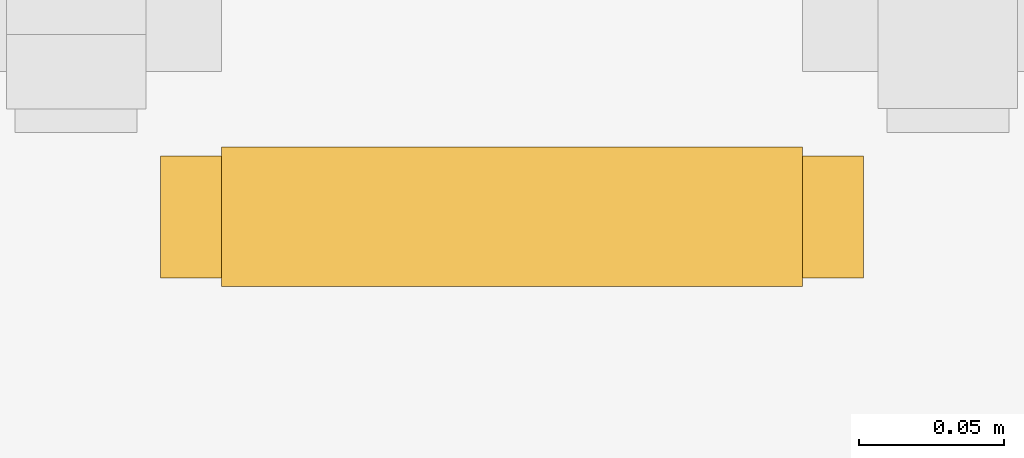
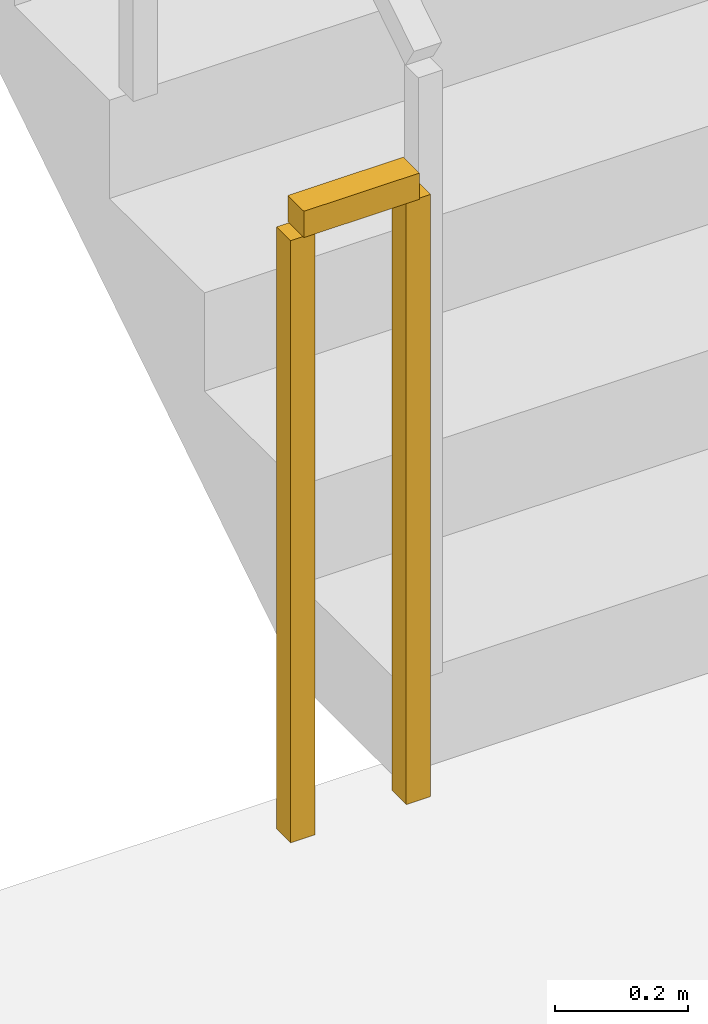
# One storey, part 22 of 24: 1 railing.
"""IFC4 building model written with IfcOpenShell, lengths in metres."""

import ifcopenshell
import ifcopenshell.guid

model = None  # the IFC model being written
_history = None  # IfcOwnerHistory: only IFC2X3 demands one
_inside = {}  # id of a spatial element -> (the spatial element, [elements in it])
_under = {}  # id of a project, library or spatial element -> (it, [spatial elements below it])
_declared = {}  # id of a project -> (the project, [libraries it declares])
_typed = {}  # id of a type object -> (the type object, [elements of that type])
_made_of = {}  # id of a material, layer set ... -> (it, [elements and type objects made of it])


def new_model(schema):
    """Start an empty IFC model of exactly this schema.

    Asked for "IFC4X3", IfcOpenShell would pick the latest addendum, in which some entities
    have other attributes; the version numbers below select the first issue.
    IFC2X3 requires an IfcOwnerHistory on every rooted entity: one is made here for all.
    """
    global model, _history
    if schema == "IFC4X3":
        model = ifcopenshell.file(schema_version=(4, 3, 0, 0))
    else:
        model = ifcopenshell.file(schema=schema)
    _inside.clear()
    _under.clear()
    _declared.clear()
    _typed.clear()
    _made_of.clear()
    _history = None
    if model.schema == "IFC2X3":
        org = make("IfcOrganization", Name="unknown")
        user = make(
            "IfcPersonAndOrganization",
            ThePerson=make("IfcPerson", FamilyName="unknown"),
            TheOrganization=org,
        )
        app = make(
            "IfcApplication",
            ApplicationDeveloper=org,
            Version="unknown",
            ApplicationFullName="unknown",
            ApplicationIdentifier="unknown",
        )
        _history = make(
            "IfcOwnerHistory",
            OwningUser=user,
            OwningApplication=app,
            ChangeAction="ADDED",
            CreationDate=0,
        )
    return model


def make(cls, **values):
    """One entity of the class cls with the attributes given. An attribute that is None is left unset."""
    return model.create_entity(
        cls, **{name: value for name, value in values.items() if value is not None}
    )


def rooted(cls, **values):
    """An entity with a GlobalId (a new one), such as an element, a storey or a relation."""
    return make(cls, GlobalId=ifcopenshell.guid.new(), OwnerHistory=_history, **values)


def si_unit(unit_type, name, prefix=None):
    """IfcSIUnit, for example si_unit("LENGTHUNIT", "METRE", prefix="MILLI")."""
    return make("IfcSIUnit", UnitType=unit_type, Prefix=prefix, Name=name)


def assignment(units):
    """IfcUnitAssignment: the units of a project."""
    return None if units is None else make("IfcUnitAssignment", Units=units)


def point(xyz):
    """IfcCartesianPoint."""
    return None if xyz is None else make("IfcCartesianPoint", Coordinates=xyz)


def direction(xyz):
    """IfcDirection."""
    return None if xyz is None else make("IfcDirection", DirectionRatios=xyz)


def frame(location, z_axis=None, x_axis=None):
    """IfcAxis2Placement3D, a coordinate frame: its origin and axes. An axis left out is left unset."""
    return make(
        "IfcAxis2Placement3D",
        Location=point(location),
        Axis=direction(z_axis),
        RefDirection=direction(x_axis),
    )


def frame_2d(location, x_axis=None):
    """IfcAxis2Placement2D, a coordinate frame in the plane: its origin and x axis."""
    return make(
        "IfcAxis2Placement2D", Location=point(location), RefDirection=direction(x_axis)
    )


def origin():
    """The frame at (0, 0, 0) with its axes left unset."""
    return frame((0.0, 0.0, 0.0))


def origin_2d():
    """The frame at (0, 0) in the plane with its x axis left unset."""
    return frame_2d((0.0, 0.0))


def place(relative_to, where):
    """IfcLocalPlacement: puts the frame where relative to a parent placement (None: the world)."""
    return make(
        "IfcLocalPlacement", PlacementRelTo=relative_to, RelativePlacement=where
    )


def context(
    kind, dimensions, precision=None, world=None, true_north=None, identifier=None
):
    """IfcGeometricRepresentationContext, for example the 3D "Model" context."""
    return make(
        "IfcGeometricRepresentationContext",
        ContextIdentifier=identifier,
        ContextType=kind,
        CoordinateSpaceDimension=dimensions,
        Precision=precision,
        WorldCoordinateSystem=world,
        TrueNorth=true_north,
    )


def subcontext(parent, identifier, kind, view, scale=None):
    """IfcGeometricRepresentationSubContext, for example "Body" below "Model"."""
    return make(
        "IfcGeometricRepresentationSubContext",
        ContextIdentifier=identifier,
        ContextType=kind,
        ParentContext=parent,
        TargetScale=scale,
        TargetView=view,
    )


def project(units=None, contexts=None):
    """IfcProject with its units and contexts."""
    return rooted(
        "IfcProject",
        Name="project",
        RepresentationContexts=contexts,
        UnitsInContext=assignment(units),
    )


def spatial(cls, under=None, at=None, **own):
    """A site, building, storey or space (cls), placed at a placement, below another one or the project."""
    s = rooted(cls, ObjectPlacement=at, **own)
    if under is not None:
        _under.setdefault(under.id(), (under, []))[1].append(s)
    return s


def profile(cls, at=None, kind="AREA", **sizes):
    """A parametric profile (cls). Its sizes go by their IFC names, for example OverallWidth=200.0."""
    return make(cls, ProfileType=kind, Position=at, **sizes)


def rectangle(**sizes):
    """IfcRectangleProfileDef."""
    return profile("IfcRectangleProfileDef", **sizes)


def extrude(swept, where, along, depth):
    """IfcExtrudedAreaSolid: the profile swept, set in the frame where, extruded along a direction by depth."""
    return make(
        "IfcExtrudedAreaSolid",
        SweptArea=swept,
        Position=where,
        ExtrudedDirection=direction(along),
        Depth=depth,
    )


def shape(context_of_items, identifier, shape_type, items):
    """IfcShapeRepresentation: the items that make up one representation, for example the "Body"."""
    return make(
        "IfcShapeRepresentation",
        ContextOfItems=context_of_items,
        RepresentationIdentifier=identifier,
        RepresentationType=shape_type,
        Items=items,
    )


def material(Name=None, Category=None):
    """IfcMaterial."""
    return make("IfcMaterial", Name=Name, Category=Category)


def made_of(thing, what):
    """Note that an element or type object is made of a material, layer set ...; save() writes the relation."""
    if what is not None:
        _made_of.setdefault(what.id(), (what, []))[1].append(thing)
    return thing


def type_object(cls, material=None, **own):
    """A type object (cls), such as IfcWallType, which elements share."""
    return made_of(rooted(cls, **own), material)


def element(
    cls,
    number,
    at=None,
    inside=None,
    cuts=None,
    type_object=None,
    material=None,
    context=None,
    identifier="Body",
    shape_type=None,
    held_by="IfcProductDefinitionShape",
    body=None,
    shapes=None,
    **own,
):
    """One element of the class cls, such as IfcWall. Its Tag is "e" and its number.

    at: its placement. inside: the storey or other place that contains it. cuts: it is an
    opening in that element (IfcRelVoidsElement). A single representation is given by context,
    identifier, shape_type and body (its items); several are given by shapes. held_by: the class
    of the entity that holds the representations. save() writes the other relations.
    """
    e = rooted(cls, Tag="e%d" % number, ObjectPlacement=at, **own)
    if body is not None:
        shapes = [shape(context, identifier, shape_type, body)]
    if shapes is not None:
        e.Representation = make(held_by, Representations=shapes)
    if inside is not None:
        _inside.setdefault(inside.id(), (inside, []))[1].append(e)
    if cuts is not None:
        rooted(
            "IfcRelVoidsElement", RelatingBuildingElement=cuts, RelatedOpeningElement=e
        )
    if type_object is not None:
        _typed.setdefault(type_object.id(), (type_object, []))[1].append(e)
    return made_of(e, material)


def aggregate(whole, parts):
    """IfcRelAggregates: a whole, such as a stair, and the parts it consists of."""
    return rooted("IfcRelAggregates", RelatingObject=whole, RelatedObjects=parts)


def save(model, path):
    """Write the relations noted so far, then the file.

    IfcRelAggregates (storeys below a building ...), IfcRelContainedInSpatialStructure (elements
    in a storey), IfcRelDefinesByType, IfcRelAssociatesMaterial and IfcRelDeclares: one each for
    every whole, place, type object, material and project.
    """
    for whole, parts in _under.values():
        aggregate(whole, parts)
    for where, things in _inside.values():
        rooted(
            "IfcRelContainedInSpatialStructure",
            RelatedElements=things,
            RelatingStructure=where,
        )
    for kind, things in _typed.values():
        rooted("IfcRelDefinesByType", RelatedObjects=things, RelatingType=kind)
    for what, things in _made_of.values():
        rooted("IfcRelAssociatesMaterial", RelatedObjects=things, RelatingMaterial=what)
    for by, libraries in _declared.values():
        rooted("IfcRelDeclares", RelatingContext=by, RelatedDefinitions=libraries)
    model.write(path)


model = new_model("IFC4")

# Units and contexts
model_context = context("Model", 3, precision=1e-05, world=origin(), true_north=direction((0.0, 1.0)))
body_context = subcontext(model_context, "Body", "Model", "MODEL_VIEW")
ifc_project = project(units=[si_unit("LENGTHUNIT", "METRE"), si_unit("AREAUNIT", "SQUARE_METRE"), si_unit("VOLUMEUNIT", "CUBIC_METRE"), si_unit("PLANEANGLEUNIT", "RADIAN"), si_unit("MASSUNIT", "GRAM", prefix="KILO")], contexts=[model_context])

# Site, building, storey
site_placement = place(None, origin())
site = spatial("IfcSite", under=ifc_project, at=site_placement, CompositionType="ELEMENT")
building_placement = place(site_placement, origin())
building = spatial("IfcBuilding", under=site, at=building_placement, Name="Sarneth Arch Tower", CompositionType="ELEMENT")
storey_placement = place(building_placement, frame((0.0, 0.0, 112.800048828125)))
storey = spatial("IfcBuildingStorey", under=building, at=storey_placement, Name="L28", CompositionType="ELEMENT", Elevation=112.800048828125)

# Railing
ifc_material = material(Name="Painted Steel S275 stair well guard", Category="steel")
railing_type = type_object("IfcRailingType", Name="RAIL-STAIR-GUARD", PredefinedType="GUARDRAIL", material=ifc_material)
railing_placement = place(storey_placement, frame((39.050048828125, 41.39990234375, 0.0)))
element("IfcRailing", 1, at=railing_placement, inside=storey, type_object=railing_type, Name="L28 ST-1 stair guard 4", PredefinedType="GUARDRAIL", context=body_context, shape_type="SweptSolid", body=[
    extrude(rectangle(XDim=0.048095703125, YDim=0.048095703125, at=origin_2d()), frame((0.0, 0.0, 1.1259765625), z_axis=(-1.0, 0.0, 0.0), x_axis=(0.0, -1.0, 0.0)), (0.0, 0.0, 1.0), 0.199951171875),
    extrude(rectangle(XDim=0.0419921875, YDim=0.0419921875, at=origin_2d()), origin(), (0.0, 0.0, 1.0), 1.101806640625),
    extrude(rectangle(XDim=0.0419921875, YDim=0.0419921875, at=origin_2d()), frame((-0.199951171875, 0.0, 0.0)), (0.0, 0.0, 1.0), 1.101806640625),
])

save(model, "model.ifc")
